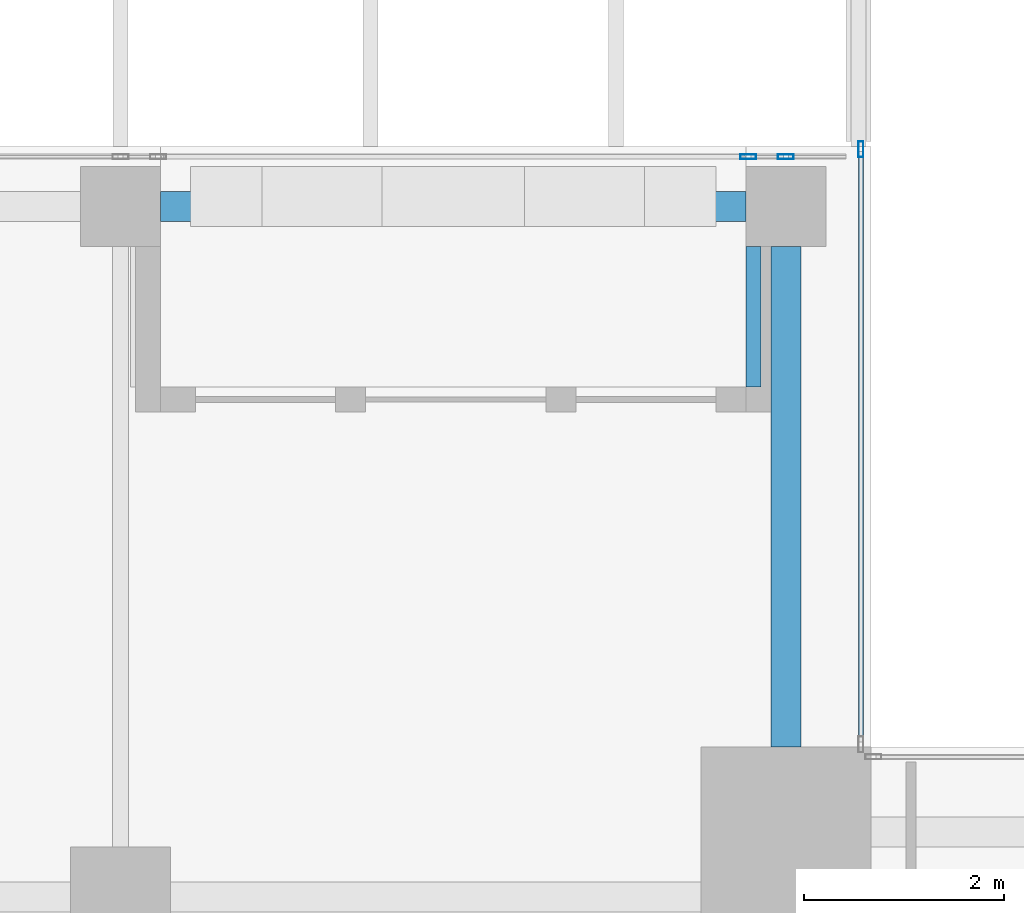
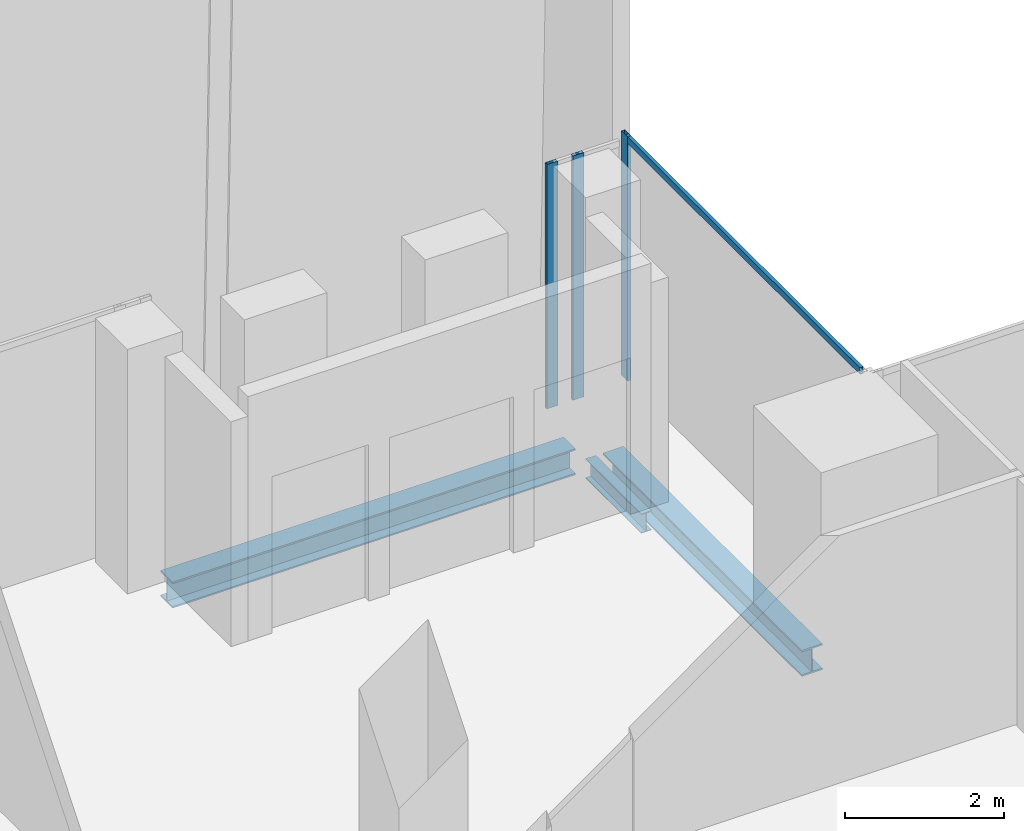
# One storey, part 19 of 32: 4 members, 3 beams, 2 elements without a shape of their own.
"""IFC4 building model written with IfcOpenShell, lengths in metres."""

from ifc_helpers import new_model, si_unit, direction, frame, origin, origin_2d, place, context, subcontext, project, spatial, hollow_rectangle, i_section, extrude, source, transform, mapped, material, material_profile, profile_set, type_object, element, aggregate, save


model = new_model("IFC4")

# Units and contexts
model_context = context("Model", 3, precision=1e-05, world=origin(), true_north=direction((0.0, 1.0)))
body_context = subcontext(model_context, "Body", "Model", "MODEL_VIEW")
ifc_project = project(units=[si_unit("LENGTHUNIT", "METRE"), si_unit("AREAUNIT", "SQUARE_METRE"), si_unit("VOLUMEUNIT", "CUBIC_METRE"), si_unit("PLANEANGLEUNIT", "RADIAN"), si_unit("MASSUNIT", "GRAM", prefix="KILO")], contexts=[model_context])

# Site, building, storey
site_placement = place(None, origin())
site = spatial("IfcSite", under=ifc_project, at=site_placement, CompositionType="ELEMENT")
building_placement = place(site_placement, origin())
building = spatial("IfcBuilding", under=site, at=building_placement, Name="Khomas Fold Tower", CompositionType="ELEMENT")
storey_placement = place(building_placement, frame((0.0, 0.0, 306.199951171875)))
storey = spatial("IfcBuildingStorey", under=building, at=storey_placement, Name="L69", CompositionType="ELEMENT", Elevation=306.199951171875)

# Beams
ifc_material_1 = material(Name="Steel S355", Category="steel")
ifc_material_profile_1 = material_profile(ifc_material_1, i_section(OverallWidth=0.300048828125, OverallDepth=0.39990234375, WebThickness=0.013427734375, FlangeThickness=0.02392578125, at=origin_2d()), Name="HE 400 B")
ifc_profile_set_1 = profile_set([ifc_material_profile_1], Name="Steel S355")
beam_type_1 = type_object("IfcBeamType", Name="HE 400 B spandrel SB5", PredefinedType="SPANDREL", material=ifc_profile_set_1)
shared_shape_1 = source(origin(), body_context, "Body", "SweptSolid", [
    extrude(i_section(OverallWidth=0.300048828125, OverallDepth=0.39990234375, WebThickness=0.013427734375, FlangeThickness=0.02392578125, at=origin_2d()), origin(), (0.0, 0.0, 1.0), 5.85009765625),
])
beam_1_placement = place(storey_placement, frame((34.89990234375, 47.39990234375, -0.449951171875), z_axis=(1.0, 0.0, 0.0), x_axis=(0.0, 1.0, 0.0)))
element("IfcBeam", 1, at=beam_1_placement, inside=storey, type_object=beam_type_1, Name="SB5", PredefinedType="SPANDREL", context=body_context, shape_type="MappedRepresentation", body=[
    mapped(shared_shape_1, transform((0.0, 0.0, 0.0))),
])
shared_shape_2 = source(origin(), body_context, "Body", "SweptSolid", [
    extrude(i_section(OverallWidth=0.300048828125, OverallDepth=0.39990234375, WebThickness=0.013427734375, FlangeThickness=0.02392578125, at=origin_2d()), origin(), (0.0, 0.0, 1.0), 5.0),
])
beam_2_placement = place(storey_placement, frame((41.14990234375, 42.0, -0.449951171875), z_axis=(0.0, 1.0, 0.0), x_axis=(-1.0, 0.0, 0.0)))
element("IfcBeam", 2, at=beam_2_placement, inside=storey, type_object=beam_type_1, Name="SB5", PredefinedType="SPANDREL", context=body_context, shape_type="MappedRepresentation", body=[
    mapped(shared_shape_2, transform((0.0, 0.0, 0.0))),
])
ifc_material_2 = material(Name="Steel S355", Category="steel")
ifc_material_profile_2 = material_profile(ifc_material_2, i_section(OverallWidth=0.14990234375, OverallDepth=0.300048828125, WebThickness=0.007080078125, FlangeThickness=0.0107421875, at=origin_2d()), Name="IPE 300")
ifc_profile_set_2 = profile_set([ifc_material_profile_2], Name="Steel S355")
beam_type_2 = type_object("IfcBeamType", Name="IPE 300 beam BB2", PredefinedType="BEAM", material=ifc_profile_set_2)
shared_shape_3 = source(origin(), body_context, "Body", "SweptSolid", [
    extrude(i_section(OverallWidth=0.14990234375, OverallDepth=0.300048828125, WebThickness=0.007080078125, FlangeThickness=0.0107421875, at=origin_2d()), origin(), (0.0, 0.0, 1.0), 1.39990234375),
])
beam_3_placement = place(storey_placement, frame((40.824951171875, 45.60009765625, -0.39990234375), z_axis=(0.0, 1.0, 0.0), x_axis=(-1.0, 0.0, 0.0)))
element("IfcBeam", 3, at=beam_3_placement, inside=storey, type_object=beam_type_2, Name="BB2", PredefinedType="BEAM", context=body_context, shape_type="MappedRepresentation", body=[
    mapped(shared_shape_3, transform((0.0, 0.0, 0.0))),
])

# Curtain wall, member
ifc_material_3 = material(Name="Aluminium framed double glazing", Category="aluminium")
curtain_wall_type = type_object("IfcCurtainWallType", Name="SK-Unitised clear-glass wall, upper floors CW3", PredefinedType="NOTDEFINED", material=ifc_material_3)
curtain_wall_1_placement = place(storey_placement, origin())
curtain_wall_1 = element("IfcCurtainWall", 4, at=curtain_wall_1_placement, inside=storey, type_object=curtain_wall_type, Name="CW3 corner return L69 05", PredefinedType="NOTDEFINED")
ifc_material_4 = material(Name="Aluminium", Category="aluminium")
ifc_material_profile_3 = material_profile(ifc_material_4, hollow_rectangle(XDim=0.050048828125, YDim=0.159912109375, WallThickness=0.00390625, at=origin_2d()), Name="SK-Unitised clear-glass wall, upper floors mullion CW3-M")
ifc_profile_set_3 = profile_set([ifc_material_profile_3], Name="Aluminium")
member_type_1 = type_object("IfcMemberType", Name="SK-Unitised clear-glass wall, upper floors mullion CW3-M", PredefinedType="MULLION", material=ifc_profile_set_3)
shared_shape_4 = source(origin(), body_context, "Body", "SweptSolid", [
    extrude(hollow_rectangle(XDim=0.050048828125, YDim=0.159912109375, WallThickness=0.00390625, at=origin_2d()), origin(), (0.0, 0.0, 1.0), 3.75),
])
member_1_placement = place(storey_placement, frame((41.89990234375, 47.97509765625, 0.0), z_axis=(0.0, 0.0, 1.0), x_axis=(-1.0, 0.0, 0.0)))
member_1 = element("IfcMember", 5, at=member_1_placement, type_object=member_type_1, Name="CW3 mullion 2", PredefinedType="MULLION", context=body_context, shape_type="MappedRepresentation", body=[
    mapped(shared_shape_4, transform((0.0, 0.0, 0.0))),
])

# Curtain wall, members
curtain_wall_2_placement = place(storey_placement, origin())
curtain_wall_2 = element("IfcCurtainWall", 6, at=curtain_wall_2_placement, inside=storey, type_object=curtain_wall_type, Name="CW3 run L69 06-0", PredefinedType="NOTDEFINED")
member_2_placement = place(storey_placement, frame((41.14990234375, 47.89990234375, 0.0), z_axis=(0.0, 0.0, 1.0), x_axis=(0.0, -1.0, 0.0)))
member_2 = element("IfcMember", 7, at=member_2_placement, type_object=member_type_1, Name="CW3 mullion 2", PredefinedType="MULLION", context=body_context, shape_type="MappedRepresentation", body=[
    mapped(shared_shape_4, transform((0.0, 0.0, 0.0))),
])
member_3_placement = place(storey_placement, frame((40.77490234375, 47.89990234375, 0.0), z_axis=(0.0, 0.0, 1.0), x_axis=(0.0, -1.0, 0.0)))
member_3 = element("IfcMember", 8, at=member_3_placement, type_object=member_type_1, Name="CW3 mullion 3", PredefinedType="MULLION", context=body_context, shape_type="MappedRepresentation", body=[
    mapped(shared_shape_4, transform((0.0, 0.0, 0.0))),
])
aggregate(curtain_wall_2, [member_2, member_3])

# Member
ifc_material_5 = material(Name="Aluminium", Category="aluminium")
ifc_material_profile_4 = material_profile(ifc_material_5, hollow_rectangle(XDim=0.050048828125, YDim=0.10009765625, WallThickness=0.00390625, at=origin_2d()), Name="SK-Unitised clear-glass wall, upper floors transom CW3-T")
ifc_profile_set_4 = profile_set([ifc_material_profile_4], Name="Aluminium")
member_type_2 = type_object("IfcMemberType", Name="SK-Unitised clear-glass wall, upper floors transom CW3-T", PredefinedType="USERDEFINED", material=ifc_profile_set_4)
shared_shape_5 = source(origin(), body_context, "Body", "SweptSolid", [
    extrude(hollow_rectangle(XDim=0.050048828125, YDim=0.10009765625, WallThickness=0.00390625, at=origin_2d()), origin(), (0.0, 0.0, 1.0), 5.89990234375),
])
member_4_placement = place(storey_placement, frame((41.89990234375, 42.050048828125, 3.699951171875), z_axis=(0.0, 1.0, 0.0), x_axis=(-1.0, 0.0, 0.0)))
member_4 = element("IfcMember", 9, at=member_4_placement, type_object=member_type_2, Name="CW3 transom 1", ObjectType="TRANSOM", PredefinedType="USERDEFINED", context=body_context, shape_type="MappedRepresentation", body=[
    mapped(shared_shape_5, transform((0.0, 0.0, 0.0))),
])

aggregate(curtain_wall_1, [member_1, member_4])

save(model, "model.ifc")
